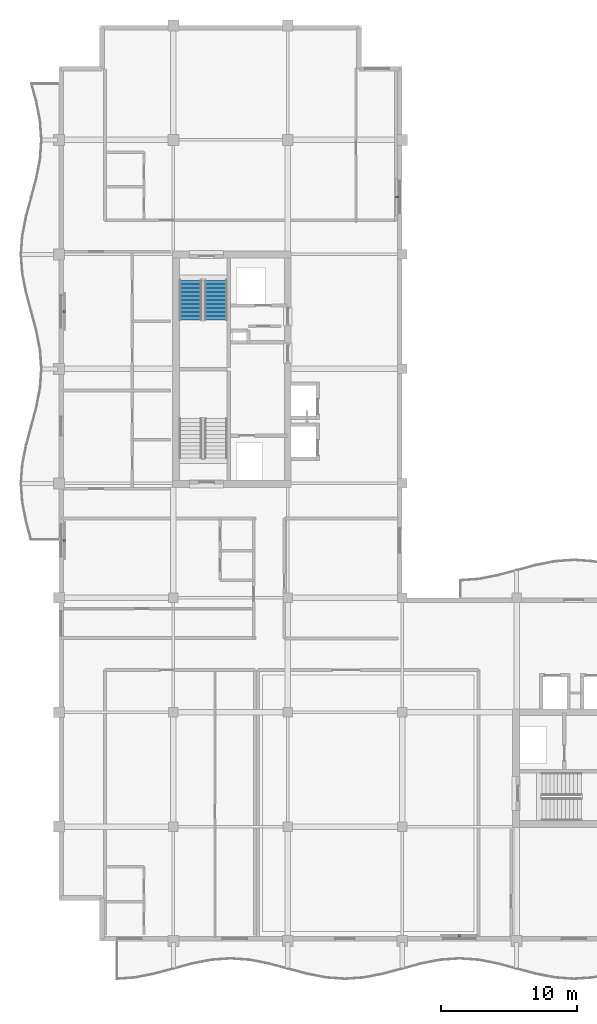
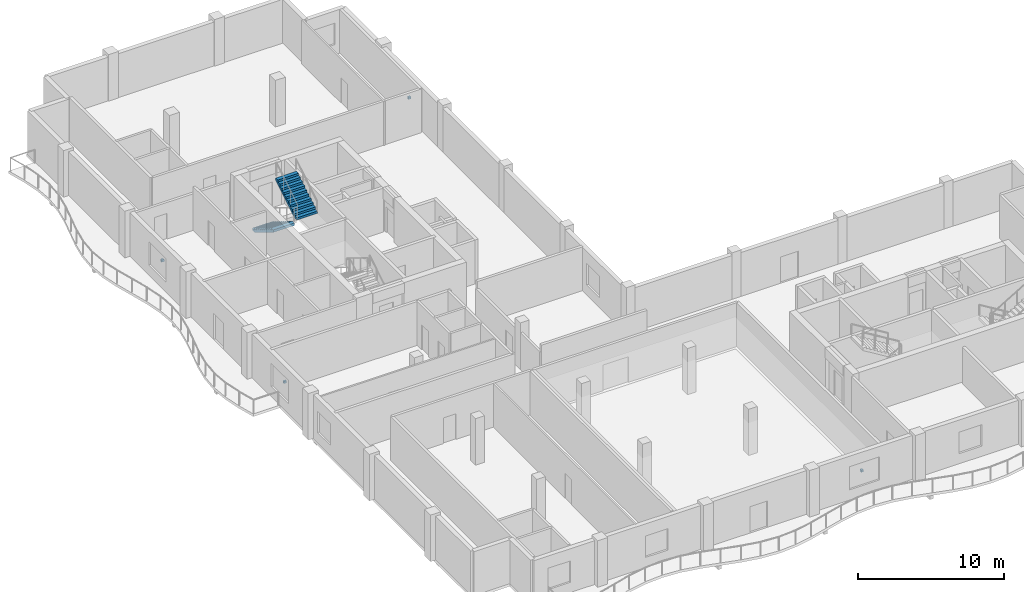
# One storey, part 10 of 14: 4 discrete accessories, 2 stair flights, 1 element without a shape of its own.
"""IFC4 building model written with IfcOpenShell, lengths in metres."""

from ifc_helpers import new_model, si_unit, direction, frame, origin, origin_2d, place, context, subcontext, project, spatial, polyline, rectangle, outline, extrude, material, type_object, element, aggregate, save


model = new_model("IFC4")

# Units and contexts
model_context = context("Model", 3, precision=1e-05, world=origin(), true_north=direction((0.0, 1.0)))
body_context = subcontext(model_context, "Body", "Model", "MODEL_VIEW")
ifc_project = project(units=[si_unit("LENGTHUNIT", "METRE"), si_unit("AREAUNIT", "SQUARE_METRE"), si_unit("VOLUMEUNIT", "CUBIC_METRE"), si_unit("PLANEANGLEUNIT", "RADIAN"), si_unit("MASSUNIT", "GRAM", prefix="KILO")], contexts=[model_context])

# Site, building, storey
site_placement = place(None, origin())
site = spatial("IfcSite", under=ifc_project, at=site_placement, CompositionType="ELEMENT")
building_placement = place(site_placement, origin())
building = spatial("IfcBuilding", under=site, at=building_placement, Name="Koriwani Terraces Tower", CompositionType="ELEMENT")
storey_placement = place(building_placement, frame((0.0, 0.0, 339.800048828125)))
storey = spatial("IfcBuildingStorey", under=building, at=storey_placement, Name="L84", CompositionType="ELEMENT", Elevation=339.800048828125)

# Stair, stair flights
ifc_material_1 = material(Name="Concrete C40/50", Category="concrete")
stair_type = type_object("IfcStairType", Name="STAIR_CORE_DOGLEG_1650", PredefinedType="TWO_STRAIGHT_RUN_STAIR", material=ifc_material_1)
stair_placement = place(storey_placement, origin())
stair = element("IfcStair", 1, at=stair_placement, inside=storey, type_object=stair_type, Name="L84 West Core Exit Stair 2", PredefinedType="HALF_TURN_STAIR")
stair_flight_type = type_object("IfcStairFlightType", Name="STAIR_FLIGHT_RC_1650", PredefinedType="STRAIGHT", material=ifc_material_1)
stair_flight_1_placement = place(storey_placement, frame((18.074951171875, 56.89990234375, 0.0), z_axis=(0.0, 0.0, 1.0), x_axis=(0.0, -1.0, 0.0)))
stair_flight_1 = element("IfcStairFlight", 2, at=stair_flight_1_placement, type_object=stair_flight_type, Name="ST-W2 flight 1", NumberOfRisers=11, NumberOfTreads=10, PredefinedType="STRAIGHT", RiserHeight=0.177272727, TreadLength=0.29, context=body_context, shape_type="SweptSolid", body=[
    extrude(outline(polyline([(0.0, 0.0), (0.0, 0.17724609375), (0.2900390625, 0.17724609375), (0.2900390625, 0.3544921875), (0.580078125, 0.3544921875), (0.580078125, 0.53173828125), (0.8701171875, 0.53173828125), (0.8701171875, 0.708984375), (1.159912109375, 0.708984375), (1.159912109375, 0.886474609375), (1.449951171875, 0.886474609375), (1.449951171875, 1.063720703125), (1.739990234375, 1.063720703125), (1.739990234375, 1.240966796875), (2.030029296875, 1.240966796875), (2.030029296875, 1.418212890625), (2.320068359375, 1.418212890625), (2.320068359375, 1.595458984375), (2.610107421875, 1.595458984375), (2.610107421875, 1.772705078125), (2.89990234375, 1.772705078125), (2.89990234375, 1.949951171875), (2.89990234375, 1.561767578125), (0.344970703125, 0.0), (0.0, 0.0)])), frame((0.0, 0.824951171875, 0.0), z_axis=(0.0, -1.0, 0.0), x_axis=(1.0, 0.0, 0.0)), (0.0, 0.0, 1.0), 1.64990234375),
])
stair_flight_2_placement = place(storey_placement, frame((19.925048828125, 54.0, 1.949951171875), z_axis=(0.0, 0.0, 1.0), x_axis=(0.0, 1.0, 0.0)))
stair_flight_2 = element("IfcStairFlight", 3, at=stair_flight_2_placement, type_object=stair_flight_type, Name="ST-W2 flight 2", NumberOfRisers=11, NumberOfTreads=10, PredefinedType="STRAIGHT", RiserHeight=0.177272727, TreadLength=0.29, context=body_context, shape_type="SweptSolid", body=[
    extrude(outline(polyline([(0.0, 0.0), (0.0, 0.17724609375), (0.2900390625, 0.17724609375), (0.2900390625, 0.3544921875), (0.580078125, 0.3544921875), (0.580078125, 0.53173828125), (0.8701171875, 0.53173828125), (0.8701171875, 0.708984375), (1.159912109375, 0.708984375), (1.159912109375, 0.886474609375), (1.449951171875, 0.886474609375), (1.449951171875, 1.063720703125), (1.739990234375, 1.063720703125), (1.739990234375, 1.240966796875), (2.030029296875, 1.240966796875), (2.030029296875, 1.418212890625), (2.320068359375, 1.418212890625), (2.320068359375, 1.595458984375), (2.610107421875, 1.595458984375), (2.610107421875, 1.772705078125), (2.89990234375, 1.772705078125), (2.89990234375, 1.949951171875), (2.89990234375, 1.561767578125), (0.344970703125, 0.0), (0.0, 0.0)])), frame((0.0, 0.824951171875, 0.0), z_axis=(0.0, -1.0, 0.0), x_axis=(1.0, 0.0, 0.0)), (0.0, 0.0, 1.0), 1.64990234375),
])
aggregate(stair, [stair_flight_1, stair_flight_2])

# Discrete accessories
ifc_material_2 = material(Name="Steel ASTM A572 Grade 50", Category="steel")
discrete_accessory_type = type_object("IfcDiscreteAccessoryType", Name="BAGUETTE_STANDOFF_BRACKET", PredefinedType="BRACKET", material=ifc_material_2)
for number, where, z_axis, x_axis, name in (
    (4, (8.7900390625, 37.800048828125, 1.7451171875), (0.0, 0.0, 1.0), (0.0, 1.0, 0.0), "L84 Terracotta Baguette Bracket (W-9)"),
    (5, (8.7900390625, 54.60009765625, 1.7451171875), (0.0, 0.0, 1.0), (0.0, 1.0, 0.0), "L84 Terracotta Baguette Bracket (W-15)"),
    (6, (33.2099609375, 63.0, 1.7451171875), (0.0, 0.0, 1.0), (0.0, -1.0, 0.0), "L84 Terracotta Baguette Bracket (NW_IN-11)"),
    (7, (37.800048828125, 8.7900390625, 1.7451171875), (0.0, 0.0, 1.0), (-1.0, 0.0, 0.0), "L84 Terracotta Baguette Bracket (S-9)"),
):
    element("IfcDiscreteAccessory", number, at=place(storey_placement, frame(where, z_axis=z_axis, x_axis=x_axis)), inside=storey, type_object=discrete_accessory_type, Name=name, PredefinedType="BRACKET", context=body_context, shape_type="SweptSolid", body=[
        extrude(rectangle(XDim=0.159912109375, YDim=0.199951171875, at=origin_2d()), origin(), (0.0, 0.0, 1.0), 0.179931640625),
    ])

save(model, "model.ifc")
